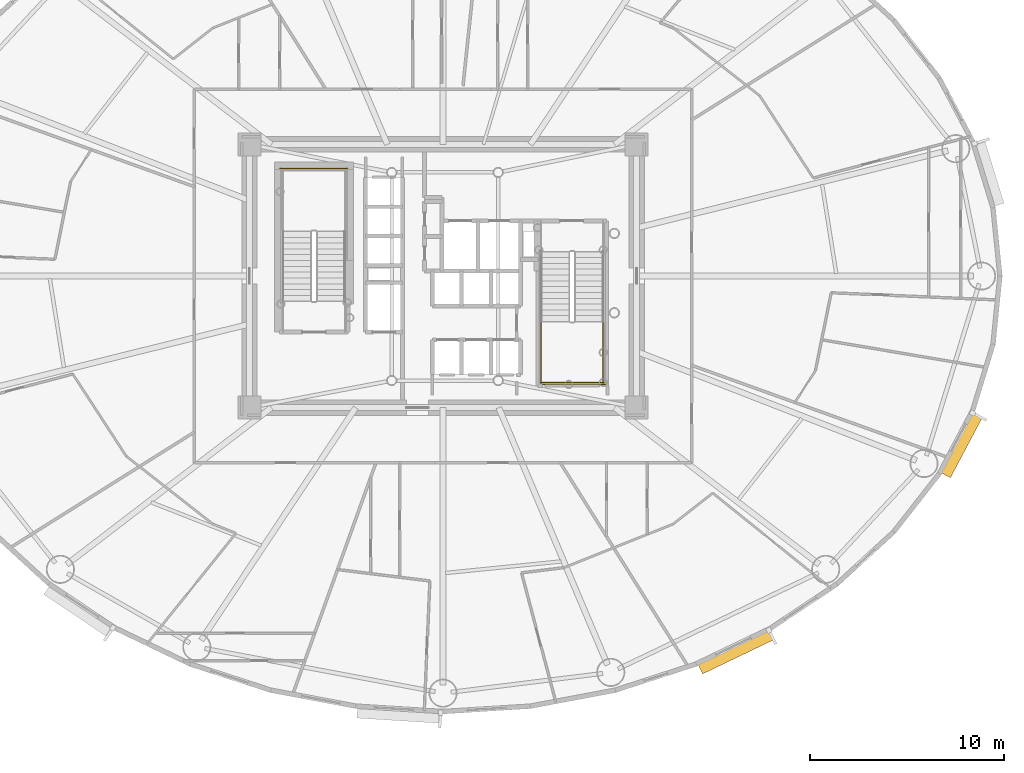
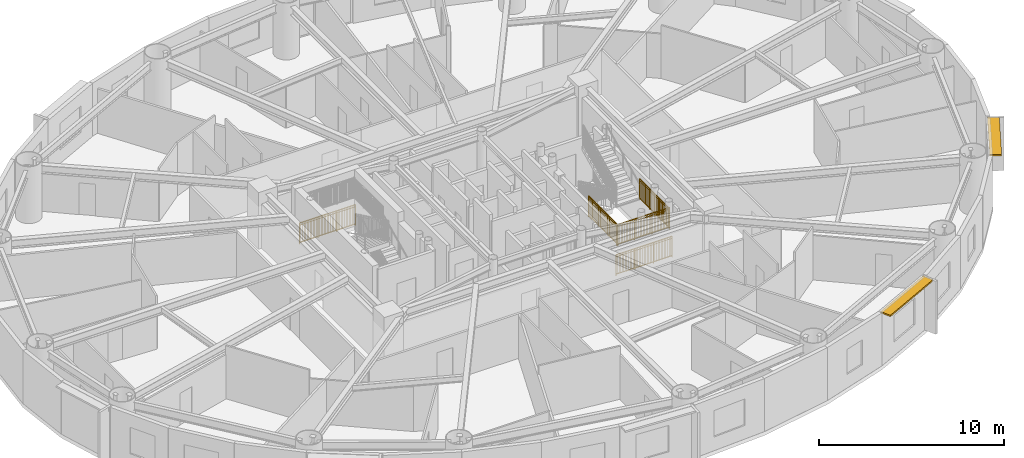
# One storey, part 16 of 18: 5 railings, 2 shading devices.
"""IFC4 building model written with IfcOpenShell, lengths in metres."""

from ifc_helpers import new_model, si_unit, direction, frame, origin, origin_2d, place, context, subcontext, project, spatial, rectangle, extrude, source, transform, mapped, material, layer, layer_set, type_object, element, save


model = new_model("IFC4")

# Units and contexts
model_context = context("Model", 3, precision=1e-05, world=origin(), true_north=direction((0.0, 1.0)))
body_context = subcontext(model_context, "Body", "Model", "MODEL_VIEW")
ifc_project = project(units=[si_unit("LENGTHUNIT", "METRE"), si_unit("AREAUNIT", "SQUARE_METRE"), si_unit("VOLUMEUNIT", "CUBIC_METRE"), si_unit("PLANEANGLEUNIT", "RADIAN"), si_unit("MASSUNIT", "GRAM", prefix="KILO")], contexts=[model_context])

# Site, building, storey
site_placement = place(None, origin())
site = spatial("IfcSite", under=ifc_project, at=site_placement, CompositionType="ELEMENT")
building_placement = place(site_placement, origin())
building = spatial("IfcBuilding", under=site, at=building_placement, Name="Linh Dai School and Residence Tower", CompositionType="ELEMENT")
storey_placement = place(building_placement, frame((0.0, 0.0, 123.449951171875)))
storey = spatial("IfcBuildingStorey", under=building, at=storey_placement, Name="L29", CompositionType="ELEMENT", Elevation=123.449951171875)

# Shading devices
ifc_material_1 = material(Name="Terracotta Ceramic Sunshade", Category="masonry")
ifc_layer = layer(ifc_material_1, 0.10009765625)
ifc_layer_set = layer_set([ifc_layer], Name="Terracotta Ceramic Sunshade")
shading_device_type = type_object("IfcShadingDeviceType", Name="SHD-TC-650", PredefinedType="USERDEFINED", material=ifc_layer_set)
shared_shape_1 = source(origin(), body_context, "Body", "SweptSolid", [
    extrude(rectangle(XDim=4.1005859375, YDim=0.64990234375, at=origin_2d()), origin(), (0.0, 0.0, 1.0), 0.10009765625),
])
shading_device_1_placement = place(storey_placement, frame((51.122802734375, 7.61962890625, 3.3798828125), z_axis=(0.0, 0.0, 1.0), x_axis=(-0.901577518371, -0.432617589064, 0.0)))
element("IfcShadingDevice", 1, at=shading_device_1_placement, inside=storey, type_object=shading_device_type, Name="L29 Terracotta Horizontal Sunshade Band 34", ObjectType="SUNSHADE", PredefinedType="USERDEFINED", context=body_context, shape_type="MappedRepresentation", body=[
    mapped(shared_shape_1, transform((0.0, 0.0, 0.0), x_axis=(1.0, 0.0, 0.0), y_axis=(0.0, 1.0, 0.0), z_axis=(0.0, 0.0, 1.0), scale=1.0)),
])
shared_shape_2 = source(origin(), body_context, "Body", "SweptSolid", [
    extrude(rectangle(XDim=3.541015625, YDim=0.64990234375, at=origin_2d()), origin(), (0.0, 0.0, 1.0), 0.10009765625),
])
shading_device_2_placement = place(storey_placement, frame((62.759521484375, 18.291259765625, 3.3798828125), z_axis=(0.0, 0.0, 1.0), x_axis=(-0.467596217252, -0.883942180016, 0.0)))
element("IfcShadingDevice", 2, at=shading_device_2_placement, inside=storey, type_object=shading_device_type, Name="L29 Terracotta Horizontal Sunshade Band 38", ObjectType="SUNSHADE", PredefinedType="USERDEFINED", context=body_context, shape_type="MappedRepresentation", body=[
    mapped(shared_shape_2, transform((0.0, 0.0, 0.0), x_axis=(1.0, 0.0, 0.0), y_axis=(0.0, 1.0, 0.0), z_axis=(0.0, 0.0, 1.0), scale=1.0)),
])

# Railings
ifc_material_2 = material(Name="Structural Steel S355JR", Category="steel")
railing_type = type_object("IfcRailingType", Name="RL-ST-GUARD-1400", PredefinedType="GUARDRAIL", material=ifc_material_2)
shared_shape_3 = source(origin(), body_context, "Body", "SweptSolid", [
    extrude(rectangle(XDim=0.048095703125, YDim=0.048095703125, at=origin_2d()), frame((0.0, 0.0, 1.3759765625), z_axis=(-1.0, 0.0, 0.0), x_axis=(0.0, -1.0, 0.0)), (0.0, 0.0, 1.0), 3.5),
    extrude(rectangle(XDim=0.048095703125, YDim=0.048095703125, at=origin_2d()), frame((0.0, 0.0, 0.10009765625), z_axis=(-1.0, 0.0, 0.0), x_axis=(0.0, -1.0, 0.0)), (0.0, 0.0, 1.0), 3.5),
    extrude(rectangle(XDim=0.030029296875, YDim=0.030029296875, at=origin_2d()), frame((0.0, 0.0, 1.239990234375), z_axis=(-1.0, 0.0, 0.0), x_axis=(0.0, -1.0, 0.0)), (0.0, 0.0, 1.0), 3.5),
    extrude(rectangle(XDim=0.02001953125, YDim=0.02001953125, at=origin_2d()), frame((-0.09716796875, 0.0, 0.10009765625)), (0.0, 0.0, 1.0), 1.251708984375),
    extrude(rectangle(XDim=0.02001953125, YDim=0.02001953125, at=origin_2d()), frame((-0.1943359375, 0.0, 0.10009765625)), (0.0, 0.0, 1.0), 1.251708984375),
    extrude(rectangle(XDim=0.02001953125, YDim=0.02001953125, at=origin_2d()), frame((-0.291748046875, 0.0, 0.10009765625)), (0.0, 0.0, 1.0), 1.251708984375),
    extrude(rectangle(XDim=0.02001953125, YDim=0.02001953125, at=origin_2d()), frame((-0.388916015625, 0.0, 0.10009765625)), (0.0, 0.0, 1.0), 1.251708984375),
    extrude(rectangle(XDim=0.02001953125, YDim=0.02001953125, at=origin_2d()), frame((-0.486083984375, 0.0, 0.10009765625)), (0.0, 0.0, 1.0), 1.251708984375),
    extrude(rectangle(XDim=0.02001953125, YDim=0.02001953125, at=origin_2d()), frame((-0.583251953125, 0.0, 0.10009765625)), (0.0, 0.0, 1.0), 1.251708984375),
    extrude(rectangle(XDim=0.02001953125, YDim=0.02001953125, at=origin_2d()), frame((-0.6806640625, 0.0, 0.10009765625)), (0.0, 0.0, 1.0), 1.251708984375),
    extrude(rectangle(XDim=0.02001953125, YDim=0.02001953125, at=origin_2d()), frame((-0.77783203125, 0.0, 0.10009765625)), (0.0, 0.0, 1.0), 1.251708984375),
    extrude(rectangle(XDim=0.02001953125, YDim=0.02001953125, at=origin_2d()), frame((-0.875, 0.0, 0.10009765625)), (0.0, 0.0, 1.0), 1.251708984375),
    extrude(rectangle(XDim=0.02001953125, YDim=0.02001953125, at=origin_2d()), frame((-0.97216796875, 0.0, 0.10009765625)), (0.0, 0.0, 1.0), 1.251708984375),
    extrude(rectangle(XDim=0.02001953125, YDim=0.02001953125, at=origin_2d()), frame((-1.0693359375, 0.0, 0.10009765625)), (0.0, 0.0, 1.0), 1.251708984375),
    extrude(rectangle(XDim=0.02001953125, YDim=0.02001953125, at=origin_2d()), frame((-1.263916015625, 0.0, 0.10009765625)), (0.0, 0.0, 1.0), 1.251708984375),
    extrude(rectangle(XDim=0.02001953125, YDim=0.02001953125, at=origin_2d()), frame((-1.361083984375, 0.0, 0.10009765625)), (0.0, 0.0, 1.0), 1.251708984375),
    extrude(rectangle(XDim=0.02001953125, YDim=0.02001953125, at=origin_2d()), frame((-1.458251953125, 0.0, 0.10009765625)), (0.0, 0.0, 1.0), 1.251708984375),
    extrude(rectangle(XDim=0.02001953125, YDim=0.02001953125, at=origin_2d()), frame((-1.5556640625, 0.0, 0.10009765625)), (0.0, 0.0, 1.0), 1.251708984375),
    extrude(rectangle(XDim=0.02001953125, YDim=0.02001953125, at=origin_2d()), frame((-1.65283203125, 0.0, 0.10009765625)), (0.0, 0.0, 1.0), 1.251708984375),
    extrude(rectangle(XDim=0.02001953125, YDim=0.02001953125, at=origin_2d()), frame((-1.75, 0.0, 0.10009765625)), (0.0, 0.0, 1.0), 1.251708984375),
    extrude(rectangle(XDim=0.02001953125, YDim=0.02001953125, at=origin_2d()), frame((-1.84716796875, 0.0, 0.10009765625)), (0.0, 0.0, 1.0), 1.251708984375),
    extrude(rectangle(XDim=0.02001953125, YDim=0.02001953125, at=origin_2d()), frame((-1.9443359375, 0.0, 0.10009765625)), (0.0, 0.0, 1.0), 1.251708984375),
    extrude(rectangle(XDim=0.02001953125, YDim=0.02001953125, at=origin_2d()), frame((-2.041748046875, 0.0, 0.10009765625)), (0.0, 0.0, 1.0), 1.251708984375),
    extrude(rectangle(XDim=0.02001953125, YDim=0.02001953125, at=origin_2d()), frame((-2.138916015625, 0.0, 0.10009765625)), (0.0, 0.0, 1.0), 1.251708984375),
    extrude(rectangle(XDim=0.02001953125, YDim=0.02001953125, at=origin_2d()), frame((-2.236083984375, 0.0, 0.10009765625)), (0.0, 0.0, 1.0), 1.251708984375),
    extrude(rectangle(XDim=0.02001953125, YDim=0.02001953125, at=origin_2d()), frame((-2.4306640625, 0.0, 0.10009765625)), (0.0, 0.0, 1.0), 1.251708984375),
    extrude(rectangle(XDim=0.02001953125, YDim=0.02001953125, at=origin_2d()), frame((-2.52783203125, 0.0, 0.10009765625)), (0.0, 0.0, 1.0), 1.251708984375),
    extrude(rectangle(XDim=0.02001953125, YDim=0.02001953125, at=origin_2d()), frame((-2.625, 0.0, 0.10009765625)), (0.0, 0.0, 1.0), 1.251708984375),
    extrude(rectangle(XDim=0.02001953125, YDim=0.02001953125, at=origin_2d()), frame((-2.72216796875, 0.0, 0.10009765625)), (0.0, 0.0, 1.0), 1.251708984375),
    extrude(rectangle(XDim=0.02001953125, YDim=0.02001953125, at=origin_2d()), frame((-2.8193359375, 0.0, 0.10009765625)), (0.0, 0.0, 1.0), 1.251708984375),
    extrude(rectangle(XDim=0.02001953125, YDim=0.02001953125, at=origin_2d()), frame((-2.916748046875, 0.0, 0.10009765625)), (0.0, 0.0, 1.0), 1.251708984375),
    extrude(rectangle(XDim=0.02001953125, YDim=0.02001953125, at=origin_2d()), frame((-3.013916015625, 0.0, 0.10009765625)), (0.0, 0.0, 1.0), 1.251708984375),
    extrude(rectangle(XDim=0.02001953125, YDim=0.02001953125, at=origin_2d()), frame((-3.111083984375, 0.0, 0.10009765625)), (0.0, 0.0, 1.0), 1.251708984375),
    extrude(rectangle(XDim=0.02001953125, YDim=0.02001953125, at=origin_2d()), frame((-3.208251953125, 0.0, 0.10009765625)), (0.0, 0.0, 1.0), 1.251708984375),
    extrude(rectangle(XDim=0.02001953125, YDim=0.02001953125, at=origin_2d()), frame((-3.3056640625, 0.0, 0.10009765625)), (0.0, 0.0, 1.0), 1.251708984375),
    extrude(rectangle(XDim=0.02001953125, YDim=0.02001953125, at=origin_2d()), frame((-3.40283203125, 0.0, 0.10009765625)), (0.0, 0.0, 1.0), 1.251708984375),
    extrude(rectangle(XDim=0.0419921875, YDim=0.0419921875, at=origin_2d()), origin(), (0.0, 0.0, 1.0), 1.3759765625),
    extrude(rectangle(XDim=0.0419921875, YDim=0.0419921875, at=origin_2d()), frame((-1.166748046875, 0.0, 0.0)), (0.0, 0.0, 1.0), 1.3759765625),
    extrude(rectangle(XDim=0.0419921875, YDim=0.0419921875, at=origin_2d()), frame((-2.333251953125, 0.0, 0.0)), (0.0, 0.0, 1.0), 1.3759765625),
    extrude(rectangle(XDim=0.0419921875, YDim=0.0419921875, at=origin_2d()), frame((-3.5, 0.0, 0.0)), (0.0, 0.0, 1.0), 1.3759765625),
])
railing_1_placement = place(storey_placement, frame((31.080078125, 32.550048828125, 0.0)))
element("IfcRailing", 3, at=railing_1_placement, inside=storey, type_object=railing_type, Name="L29 ST1 stair guard 12", PredefinedType="GUARDRAIL", context=body_context, shape_type="MappedRepresentation", body=[
    mapped(shared_shape_3, transform((0.0, 0.0, 0.0), x_axis=(1.0, 0.0, 0.0), y_axis=(0.0, 1.0, 0.0), z_axis=(0.0, 0.0, 1.0), scale=1.0)),
])
shared_shape_4 = source(origin(), body_context, "Body", "SweptSolid", [
    extrude(rectangle(XDim=0.048095703125, YDim=0.048095703125, at=origin_2d()), frame((0.0, 0.0, 1.3759765625), z_axis=(1.0, 0.0, 0.0), x_axis=(0.0, 1.0, 0.0)), (0.0, 0.0, 1.0), 3.300048828125),
    extrude(rectangle(XDim=0.048095703125, YDim=0.048095703125, at=origin_2d()), frame((0.0, 0.0, 0.10009765625), z_axis=(1.0, 0.0, 0.0), x_axis=(0.0, 1.0, 0.0)), (0.0, 0.0, 1.0), 3.300048828125),
    extrude(rectangle(XDim=0.030029296875, YDim=0.030029296875, at=origin_2d()), frame((0.0, 0.0, 1.239990234375), z_axis=(1.0, 0.0, 0.0), x_axis=(0.0, 1.0, 0.0)), (0.0, 0.0, 1.0), 3.300048828125),
    extrude(rectangle(XDim=0.02001953125, YDim=0.02001953125, at=origin_2d()), frame((0.09716796875, 0.0, 0.10009765625)), (0.0, 0.0, 1.0), 1.251708984375),
    extrude(rectangle(XDim=0.02001953125, YDim=0.02001953125, at=origin_2d()), frame((0.194091796875, 0.0, 0.10009765625)), (0.0, 0.0, 1.0), 1.251708984375),
    extrude(rectangle(XDim=0.02001953125, YDim=0.02001953125, at=origin_2d()), frame((0.291259765625, 0.0, 0.10009765625)), (0.0, 0.0, 1.0), 1.251708984375),
    extrude(rectangle(XDim=0.02001953125, YDim=0.02001953125, at=origin_2d()), frame((0.38818359375, 0.0, 0.10009765625)), (0.0, 0.0, 1.0), 1.251708984375),
    extrude(rectangle(XDim=0.02001953125, YDim=0.02001953125, at=origin_2d()), frame((0.4853515625, 0.0, 0.10009765625)), (0.0, 0.0, 1.0), 1.251708984375),
    extrude(rectangle(XDim=0.02001953125, YDim=0.02001953125, at=origin_2d()), frame((0.582275390625, 0.0, 0.10009765625)), (0.0, 0.0, 1.0), 1.251708984375),
    extrude(rectangle(XDim=0.02001953125, YDim=0.02001953125, at=origin_2d()), frame((0.679443359375, 0.0, 0.10009765625)), (0.0, 0.0, 1.0), 1.251708984375),
    extrude(rectangle(XDim=0.02001953125, YDim=0.02001953125, at=origin_2d()), frame((0.7763671875, 0.0, 0.10009765625)), (0.0, 0.0, 1.0), 1.251708984375),
    extrude(rectangle(XDim=0.02001953125, YDim=0.02001953125, at=origin_2d()), frame((0.87353515625, 0.0, 0.10009765625)), (0.0, 0.0, 1.0), 1.251708984375),
    extrude(rectangle(XDim=0.02001953125, YDim=0.02001953125, at=origin_2d()), frame((0.970703125, 0.0, 0.10009765625)), (0.0, 0.0, 1.0), 1.251708984375),
    extrude(rectangle(XDim=0.02001953125, YDim=0.02001953125, at=origin_2d()), frame((1.164794921875, 0.0, 0.10009765625)), (0.0, 0.0, 1.0), 1.251708984375),
    extrude(rectangle(XDim=0.02001953125, YDim=0.02001953125, at=origin_2d()), frame((1.26171875, 0.0, 0.10009765625)), (0.0, 0.0, 1.0), 1.251708984375),
    extrude(rectangle(XDim=0.02001953125, YDim=0.02001953125, at=origin_2d()), frame((1.35888671875, 0.0, 0.10009765625)), (0.0, 0.0, 1.0), 1.251708984375),
    extrude(rectangle(XDim=0.02001953125, YDim=0.02001953125, at=origin_2d()), frame((1.455810546875, 0.0, 0.10009765625)), (0.0, 0.0, 1.0), 1.251708984375),
    extrude(rectangle(XDim=0.02001953125, YDim=0.02001953125, at=origin_2d()), frame((1.552978515625, 0.0, 0.10009765625)), (0.0, 0.0, 1.0), 1.251708984375),
    extrude(rectangle(XDim=0.02001953125, YDim=0.02001953125, at=origin_2d()), frame((1.64990234375, 0.0, 0.10009765625)), (0.0, 0.0, 1.0), 1.251708984375),
    extrude(rectangle(XDim=0.02001953125, YDim=0.02001953125, at=origin_2d()), frame((1.7470703125, 0.0, 0.10009765625)), (0.0, 0.0, 1.0), 1.251708984375),
    extrude(rectangle(XDim=0.02001953125, YDim=0.02001953125, at=origin_2d()), frame((1.84423828125, 0.0, 0.10009765625)), (0.0, 0.0, 1.0), 1.251708984375),
    extrude(rectangle(XDim=0.02001953125, YDim=0.02001953125, at=origin_2d()), frame((1.941162109375, 0.0, 0.10009765625)), (0.0, 0.0, 1.0), 1.251708984375),
    extrude(rectangle(XDim=0.02001953125, YDim=0.02001953125, at=origin_2d()), frame((2.038330078125, 0.0, 0.10009765625)), (0.0, 0.0, 1.0), 1.251708984375),
    extrude(rectangle(XDim=0.02001953125, YDim=0.02001953125, at=origin_2d()), frame((2.13525390625, 0.0, 0.10009765625)), (0.0, 0.0, 1.0), 1.251708984375),
    extrude(rectangle(XDim=0.02001953125, YDim=0.02001953125, at=origin_2d()), frame((2.329345703125, 0.0, 0.10009765625)), (0.0, 0.0, 1.0), 1.251708984375),
    extrude(rectangle(XDim=0.02001953125, YDim=0.02001953125, at=origin_2d()), frame((2.426513671875, 0.0, 0.10009765625)), (0.0, 0.0, 1.0), 1.251708984375),
    extrude(rectangle(XDim=0.02001953125, YDim=0.02001953125, at=origin_2d()), frame((2.523681640625, 0.0, 0.10009765625)), (0.0, 0.0, 1.0), 1.251708984375),
    extrude(rectangle(XDim=0.02001953125, YDim=0.02001953125, at=origin_2d()), frame((2.62060546875, 0.0, 0.10009765625)), (0.0, 0.0, 1.0), 1.251708984375),
    extrude(rectangle(XDim=0.02001953125, YDim=0.02001953125, at=origin_2d()), frame((2.7177734375, 0.0, 0.10009765625)), (0.0, 0.0, 1.0), 1.251708984375),
    extrude(rectangle(XDim=0.02001953125, YDim=0.02001953125, at=origin_2d()), frame((2.814697265625, 0.0, 0.10009765625)), (0.0, 0.0, 1.0), 1.251708984375),
    extrude(rectangle(XDim=0.02001953125, YDim=0.02001953125, at=origin_2d()), frame((2.911865234375, 0.0, 0.10009765625)), (0.0, 0.0, 1.0), 1.251708984375),
    extrude(rectangle(XDim=0.02001953125, YDim=0.02001953125, at=origin_2d()), frame((3.0087890625, 0.0, 0.10009765625)), (0.0, 0.0, 1.0), 1.251708984375),
    extrude(rectangle(XDim=0.02001953125, YDim=0.02001953125, at=origin_2d()), frame((3.10595703125, 0.0, 0.10009765625)), (0.0, 0.0, 1.0), 1.251708984375),
    extrude(rectangle(XDim=0.02001953125, YDim=0.02001953125, at=origin_2d()), frame((3.202880859375, 0.0, 0.10009765625)), (0.0, 0.0, 1.0), 1.251708984375),
    extrude(rectangle(XDim=0.0419921875, YDim=0.0419921875, at=origin_2d()), origin(), (0.0, 0.0, 1.0), 1.3759765625),
    extrude(rectangle(XDim=0.0419921875, YDim=0.0419921875, at=origin_2d()), frame((1.10009765625, 0.0, 0.0)), (0.0, 0.0, 1.0), 1.3759765625),
    extrude(rectangle(XDim=0.0419921875, YDim=0.0419921875, at=origin_2d()), frame((2.199951171875, 0.0, 0.0)), (0.0, 0.0, 1.0), 1.3759765625),
    extrude(rectangle(XDim=0.0419921875, YDim=0.0419921875, at=origin_2d()), frame((3.300048828125, 0.0, 0.0)), (0.0, 0.0, 1.0), 1.3759765625),
])
railing_2_placement = place(storey_placement, frame((41.02001953125, 21.5, 1.875)))
element("IfcRailing", 4, at=railing_2_placement, inside=storey, type_object=railing_type, Name="L29 ST2 stair guard 5", PredefinedType="GUARDRAIL", context=body_context, shape_type="MappedRepresentation", body=[
    mapped(shared_shape_4, transform((0.0, 0.0, 0.0), x_axis=(1.0, 0.0, 0.0), y_axis=(0.0, 1.0, 0.0), z_axis=(0.0, 0.0, 1.0), scale=1.0)),
])
shared_shape_5 = source(origin(), body_context, "Body", "SweptSolid", [
    extrude(rectangle(XDim=0.048095703125, YDim=0.048095703125, at=origin_2d()), frame((0.0, 0.0, 1.3759765625), z_axis=(1.0, 0.0, 0.0), x_axis=(0.0, 1.0, 0.0)), (0.0, 0.0, 1.0), 3.5),
    extrude(rectangle(XDim=0.048095703125, YDim=0.048095703125, at=origin_2d()), frame((0.0, 0.0, 0.10009765625), z_axis=(1.0, 0.0, 0.0), x_axis=(0.0, 1.0, 0.0)), (0.0, 0.0, 1.0), 3.5),
    extrude(rectangle(XDim=0.030029296875, YDim=0.030029296875, at=origin_2d()), frame((0.0, 0.0, 1.239990234375), z_axis=(1.0, 0.0, 0.0), x_axis=(0.0, 1.0, 0.0)), (0.0, 0.0, 1.0), 3.5),
    extrude(rectangle(XDim=0.02001953125, YDim=0.02001953125, at=origin_2d()), frame((0.09716796875, 0.0, 0.10009765625)), (0.0, 0.0, 1.0), 1.251708984375),
    extrude(rectangle(XDim=0.02001953125, YDim=0.02001953125, at=origin_2d()), frame((0.1943359375, 0.0, 0.10009765625)), (0.0, 0.0, 1.0), 1.251708984375),
    extrude(rectangle(XDim=0.02001953125, YDim=0.02001953125, at=origin_2d()), frame((0.291748046875, 0.0, 0.10009765625)), (0.0, 0.0, 1.0), 1.251708984375),
    extrude(rectangle(XDim=0.02001953125, YDim=0.02001953125, at=origin_2d()), frame((0.388916015625, 0.0, 0.10009765625)), (0.0, 0.0, 1.0), 1.251708984375),
    extrude(rectangle(XDim=0.02001953125, YDim=0.02001953125, at=origin_2d()), frame((0.486083984375, 0.0, 0.10009765625)), (0.0, 0.0, 1.0), 1.251708984375),
    extrude(rectangle(XDim=0.02001953125, YDim=0.02001953125, at=origin_2d()), frame((0.583251953125, 0.0, 0.10009765625)), (0.0, 0.0, 1.0), 1.251708984375),
    extrude(rectangle(XDim=0.02001953125, YDim=0.02001953125, at=origin_2d()), frame((0.6806640625, 0.0, 0.10009765625)), (0.0, 0.0, 1.0), 1.251708984375),
    extrude(rectangle(XDim=0.02001953125, YDim=0.02001953125, at=origin_2d()), frame((0.77783203125, 0.0, 0.10009765625)), (0.0, 0.0, 1.0), 1.251708984375),
    extrude(rectangle(XDim=0.02001953125, YDim=0.02001953125, at=origin_2d()), frame((0.875, 0.0, 0.10009765625)), (0.0, 0.0, 1.0), 1.251708984375),
    extrude(rectangle(XDim=0.02001953125, YDim=0.02001953125, at=origin_2d()), frame((0.97216796875, 0.0, 0.10009765625)), (0.0, 0.0, 1.0), 1.251708984375),
    extrude(rectangle(XDim=0.02001953125, YDim=0.02001953125, at=origin_2d()), frame((1.0693359375, 0.0, 0.10009765625)), (0.0, 0.0, 1.0), 1.251708984375),
    extrude(rectangle(XDim=0.02001953125, YDim=0.02001953125, at=origin_2d()), frame((1.263916015625, 0.0, 0.10009765625)), (0.0, 0.0, 1.0), 1.251708984375),
    extrude(rectangle(XDim=0.02001953125, YDim=0.02001953125, at=origin_2d()), frame((1.361083984375, 0.0, 0.10009765625)), (0.0, 0.0, 1.0), 1.251708984375),
    extrude(rectangle(XDim=0.02001953125, YDim=0.02001953125, at=origin_2d()), frame((1.458251953125, 0.0, 0.10009765625)), (0.0, 0.0, 1.0), 1.251708984375),
    extrude(rectangle(XDim=0.02001953125, YDim=0.02001953125, at=origin_2d()), frame((1.5556640625, 0.0, 0.10009765625)), (0.0, 0.0, 1.0), 1.251708984375),
    extrude(rectangle(XDim=0.02001953125, YDim=0.02001953125, at=origin_2d()), frame((1.65283203125, 0.0, 0.10009765625)), (0.0, 0.0, 1.0), 1.251708984375),
    extrude(rectangle(XDim=0.02001953125, YDim=0.02001953125, at=origin_2d()), frame((1.75, 0.0, 0.10009765625)), (0.0, 0.0, 1.0), 1.251708984375),
    extrude(rectangle(XDim=0.02001953125, YDim=0.02001953125, at=origin_2d()), frame((1.84716796875, 0.0, 0.10009765625)), (0.0, 0.0, 1.0), 1.251708984375),
    extrude(rectangle(XDim=0.02001953125, YDim=0.02001953125, at=origin_2d()), frame((1.9443359375, 0.0, 0.10009765625)), (0.0, 0.0, 1.0), 1.251708984375),
    extrude(rectangle(XDim=0.02001953125, YDim=0.02001953125, at=origin_2d()), frame((2.041748046875, 0.0, 0.10009765625)), (0.0, 0.0, 1.0), 1.251708984375),
    extrude(rectangle(XDim=0.02001953125, YDim=0.02001953125, at=origin_2d()), frame((2.138916015625, 0.0, 0.10009765625)), (0.0, 0.0, 1.0), 1.251708984375),
    extrude(rectangle(XDim=0.02001953125, YDim=0.02001953125, at=origin_2d()), frame((2.236083984375, 0.0, 0.10009765625)), (0.0, 0.0, 1.0), 1.251708984375),
    extrude(rectangle(XDim=0.02001953125, YDim=0.02001953125, at=origin_2d()), frame((2.4306640625, 0.0, 0.10009765625)), (0.0, 0.0, 1.0), 1.251708984375),
    extrude(rectangle(XDim=0.02001953125, YDim=0.02001953125, at=origin_2d()), frame((2.52783203125, 0.0, 0.10009765625)), (0.0, 0.0, 1.0), 1.251708984375),
    extrude(rectangle(XDim=0.02001953125, YDim=0.02001953125, at=origin_2d()), frame((2.625, 0.0, 0.10009765625)), (0.0, 0.0, 1.0), 1.251708984375),
    extrude(rectangle(XDim=0.02001953125, YDim=0.02001953125, at=origin_2d()), frame((2.72216796875, 0.0, 0.10009765625)), (0.0, 0.0, 1.0), 1.251708984375),
    extrude(rectangle(XDim=0.02001953125, YDim=0.02001953125, at=origin_2d()), frame((2.8193359375, 0.0, 0.10009765625)), (0.0, 0.0, 1.0), 1.251708984375),
    extrude(rectangle(XDim=0.02001953125, YDim=0.02001953125, at=origin_2d()), frame((2.916748046875, 0.0, 0.10009765625)), (0.0, 0.0, 1.0), 1.251708984375),
    extrude(rectangle(XDim=0.02001953125, YDim=0.02001953125, at=origin_2d()), frame((3.013916015625, 0.0, 0.10009765625)), (0.0, 0.0, 1.0), 1.251708984375),
    extrude(rectangle(XDim=0.02001953125, YDim=0.02001953125, at=origin_2d()), frame((3.111083984375, 0.0, 0.10009765625)), (0.0, 0.0, 1.0), 1.251708984375),
    extrude(rectangle(XDim=0.02001953125, YDim=0.02001953125, at=origin_2d()), frame((3.208251953125, 0.0, 0.10009765625)), (0.0, 0.0, 1.0), 1.251708984375),
    extrude(rectangle(XDim=0.02001953125, YDim=0.02001953125, at=origin_2d()), frame((3.3056640625, 0.0, 0.10009765625)), (0.0, 0.0, 1.0), 1.251708984375),
    extrude(rectangle(XDim=0.02001953125, YDim=0.02001953125, at=origin_2d()), frame((3.40283203125, 0.0, 0.10009765625)), (0.0, 0.0, 1.0), 1.251708984375),
    extrude(rectangle(XDim=0.0419921875, YDim=0.0419921875, at=origin_2d()), origin(), (0.0, 0.0, 1.0), 1.3759765625),
    extrude(rectangle(XDim=0.0419921875, YDim=0.0419921875, at=origin_2d()), frame((1.166748046875, 0.0, 0.0)), (0.0, 0.0, 1.0), 1.3759765625),
    extrude(rectangle(XDim=0.0419921875, YDim=0.0419921875, at=origin_2d()), frame((2.333251953125, 0.0, 0.0)), (0.0, 0.0, 1.0), 1.3759765625),
    extrude(rectangle(XDim=0.0419921875, YDim=0.0419921875, at=origin_2d()), frame((3.5, 0.0, 0.0)), (0.0, 0.0, 1.0), 1.3759765625),
])
railing_3_placement = place(storey_placement, frame((40.919921875, 21.39990234375, 0.0)))
element("IfcRailing", 5, at=railing_3_placement, inside=storey, type_object=railing_type, Name="L29 ST2 stair guard 12", PredefinedType="GUARDRAIL", context=body_context, shape_type="MappedRepresentation", body=[
    mapped(shared_shape_5, transform((0.0, 0.0, 0.0), x_axis=(1.0, 0.0, 0.0), y_axis=(0.0, 1.0, 0.0), z_axis=(0.0, 0.0, 1.0), scale=1.0)),
])
shared_shape_6 = source(origin(), body_context, "Body", "SweptSolid", [
    extrude(rectangle(XDim=0.048095703125, YDim=0.048095703125, at=origin_2d()), frame((0.0, 0.0, 1.3759765625), z_axis=(0.0, -1.0, 0.0), x_axis=(1.0, 0.0, 0.0)), (0.0, 0.0, 1.0), 3.199951171875),
    extrude(rectangle(XDim=0.048095703125, YDim=0.048095703125, at=origin_2d()), frame((0.0, 0.0, 0.10009765625), z_axis=(0.0, -1.0, 0.0), x_axis=(1.0, 0.0, 0.0)), (0.0, 0.0, 1.0), 3.199951171875),
    extrude(rectangle(XDim=0.030029296875, YDim=0.030029296875, at=origin_2d()), frame((0.0, 0.0, 1.239990234375), z_axis=(0.0, -1.0, 0.0), x_axis=(1.0, 0.0, 0.0)), (0.0, 0.0, 1.0), 3.199951171875),
    extrude(rectangle(XDim=0.02001953125, YDim=0.02001953125, at=origin_2d()), frame((0.0, -0.096923828125, 0.10009765625)), (0.0, 0.0, 1.0), 1.251708984375),
    extrude(rectangle(XDim=0.02001953125, YDim=0.02001953125, at=origin_2d()), frame((0.0, -0.19384765625, 0.10009765625)), (0.0, 0.0, 1.0), 1.251708984375),
    extrude(rectangle(XDim=0.02001953125, YDim=0.02001953125, at=origin_2d()), frame((0.0, -0.291015625, 0.10009765625)), (0.0, 0.0, 1.0), 1.251708984375),
    extrude(rectangle(XDim=0.02001953125, YDim=0.02001953125, at=origin_2d()), frame((0.0, -0.387939453125, 0.10009765625)), (0.0, 0.0, 1.0), 1.251708984375),
    extrude(rectangle(XDim=0.02001953125, YDim=0.02001953125, at=origin_2d()), frame((0.0, -0.48486328125, 0.10009765625)), (0.0, 0.0, 1.0), 1.251708984375),
    extrude(rectangle(XDim=0.02001953125, YDim=0.02001953125, at=origin_2d()), frame((0.0, -0.581787109375, 0.10009765625)), (0.0, 0.0, 1.0), 1.251708984375),
    extrude(rectangle(XDim=0.02001953125, YDim=0.02001953125, at=origin_2d()), frame((0.0, -0.6787109375, 0.10009765625)), (0.0, 0.0, 1.0), 1.251708984375),
    extrude(rectangle(XDim=0.02001953125, YDim=0.02001953125, at=origin_2d()), frame((0.0, -0.775634765625, 0.10009765625)), (0.0, 0.0, 1.0), 1.251708984375),
    extrude(rectangle(XDim=0.02001953125, YDim=0.02001953125, at=origin_2d()), frame((0.0, -0.872802734375, 0.10009765625)), (0.0, 0.0, 1.0), 1.251708984375),
    extrude(rectangle(XDim=0.02001953125, YDim=0.02001953125, at=origin_2d()), frame((0.0, -0.9697265625, 0.10009765625)), (0.0, 0.0, 1.0), 1.251708984375),
    extrude(rectangle(XDim=0.02001953125, YDim=0.02001953125, at=origin_2d()), frame((0.0, -1.16357421875, 0.10009765625)), (0.0, 0.0, 1.0), 1.251708984375),
    extrude(rectangle(XDim=0.02001953125, YDim=0.02001953125, at=origin_2d()), frame((0.0, -1.260498046875, 0.10009765625)), (0.0, 0.0, 1.0), 1.251708984375),
    extrude(rectangle(XDim=0.02001953125, YDim=0.02001953125, at=origin_2d()), frame((0.0, -1.357666015625, 0.10009765625)), (0.0, 0.0, 1.0), 1.251708984375),
    extrude(rectangle(XDim=0.02001953125, YDim=0.02001953125, at=origin_2d()), frame((0.0, -1.45458984375, 0.10009765625)), (0.0, 0.0, 1.0), 1.251708984375),
    extrude(rectangle(XDim=0.02001953125, YDim=0.02001953125, at=origin_2d()), frame((0.0, -1.551513671875, 0.10009765625)), (0.0, 0.0, 1.0), 1.251708984375),
    extrude(rectangle(XDim=0.02001953125, YDim=0.02001953125, at=origin_2d()), frame((0.0, -1.6484375, 0.10009765625)), (0.0, 0.0, 1.0), 1.251708984375),
    extrude(rectangle(XDim=0.02001953125, YDim=0.02001953125, at=origin_2d()), frame((0.0, -1.745361328125, 0.10009765625)), (0.0, 0.0, 1.0), 1.251708984375),
    extrude(rectangle(XDim=0.02001953125, YDim=0.02001953125, at=origin_2d()), frame((0.0, -1.84228515625, 0.10009765625)), (0.0, 0.0, 1.0), 1.251708984375),
    extrude(rectangle(XDim=0.02001953125, YDim=0.02001953125, at=origin_2d()), frame((0.0, -1.939453125, 0.10009765625)), (0.0, 0.0, 1.0), 1.251708984375),
    extrude(rectangle(XDim=0.02001953125, YDim=0.02001953125, at=origin_2d()), frame((0.0, -2.036376953125, 0.10009765625)), (0.0, 0.0, 1.0), 1.251708984375),
    extrude(rectangle(XDim=0.02001953125, YDim=0.02001953125, at=origin_2d()), frame((0.0, -2.230224609375, 0.10009765625)), (0.0, 0.0, 1.0), 1.251708984375),
    extrude(rectangle(XDim=0.02001953125, YDim=0.02001953125, at=origin_2d()), frame((0.0, -2.3271484375, 0.10009765625)), (0.0, 0.0, 1.0), 1.251708984375),
    extrude(rectangle(XDim=0.02001953125, YDim=0.02001953125, at=origin_2d()), frame((0.0, -2.42431640625, 0.10009765625)), (0.0, 0.0, 1.0), 1.251708984375),
    extrude(rectangle(XDim=0.02001953125, YDim=0.02001953125, at=origin_2d()), frame((0.0, -2.521240234375, 0.10009765625)), (0.0, 0.0, 1.0), 1.251708984375),
    extrude(rectangle(XDim=0.02001953125, YDim=0.02001953125, at=origin_2d()), frame((0.0, -2.6181640625, 0.10009765625)), (0.0, 0.0, 1.0), 1.251708984375),
    extrude(rectangle(XDim=0.02001953125, YDim=0.02001953125, at=origin_2d()), frame((0.0, -2.715087890625, 0.10009765625)), (0.0, 0.0, 1.0), 1.251708984375),
    extrude(rectangle(XDim=0.02001953125, YDim=0.02001953125, at=origin_2d()), frame((0.0, -2.81201171875, 0.10009765625)), (0.0, 0.0, 1.0), 1.251708984375),
    extrude(rectangle(XDim=0.02001953125, YDim=0.02001953125, at=origin_2d()), frame((0.0, -2.908935546875, 0.10009765625)), (0.0, 0.0, 1.0), 1.251708984375),
    extrude(rectangle(XDim=0.02001953125, YDim=0.02001953125, at=origin_2d()), frame((0.0, -3.006103515625, 0.10009765625)), (0.0, 0.0, 1.0), 1.251708984375),
    extrude(rectangle(XDim=0.02001953125, YDim=0.02001953125, at=origin_2d()), frame((0.0, -3.10302734375, 0.10009765625)), (0.0, 0.0, 1.0), 1.251708984375),
    extrude(rectangle(XDim=0.0419921875, YDim=0.0419921875, at=origin_2d()), origin(), (0.0, 0.0, 1.0), 1.3759765625),
    extrude(rectangle(XDim=0.0419921875, YDim=0.0419921875, at=origin_2d()), frame((0.0, -1.066650390625, 0.0)), (0.0, 0.0, 1.0), 1.3759765625),
    extrude(rectangle(XDim=0.0419921875, YDim=0.0419921875, at=origin_2d()), frame((0.0, -2.13330078125, 0.0)), (0.0, 0.0, 1.0), 1.3759765625),
    extrude(rectangle(XDim=0.0419921875, YDim=0.0419921875, at=origin_2d()), frame((0.0, -3.199951171875, 0.0)), (0.0, 0.0, 1.0), 1.3759765625),
])
for number, where, name in (
    (6, (41.070068359375, 24.64990234375, 1.875), "L29 ST2 stair guard 3"),
    (7, (44.27001953125, 24.64990234375, 1.875), "L29 ST2 stair guard 4"),
):
    element("IfcRailing", number, at=place(storey_placement, frame(where)), inside=storey, type_object=railing_type, Name=name, PredefinedType="GUARDRAIL", context=body_context, shape_type="MappedRepresentation", body=[
        mapped(shared_shape_6, transform((0.0, 0.0, 0.0), x_axis=(1.0, 0.0, 0.0), y_axis=(0.0, 1.0, 0.0), z_axis=(0.0, 0.0, 1.0), scale=1.0)),
    ])

save(model, "model.ifc")
